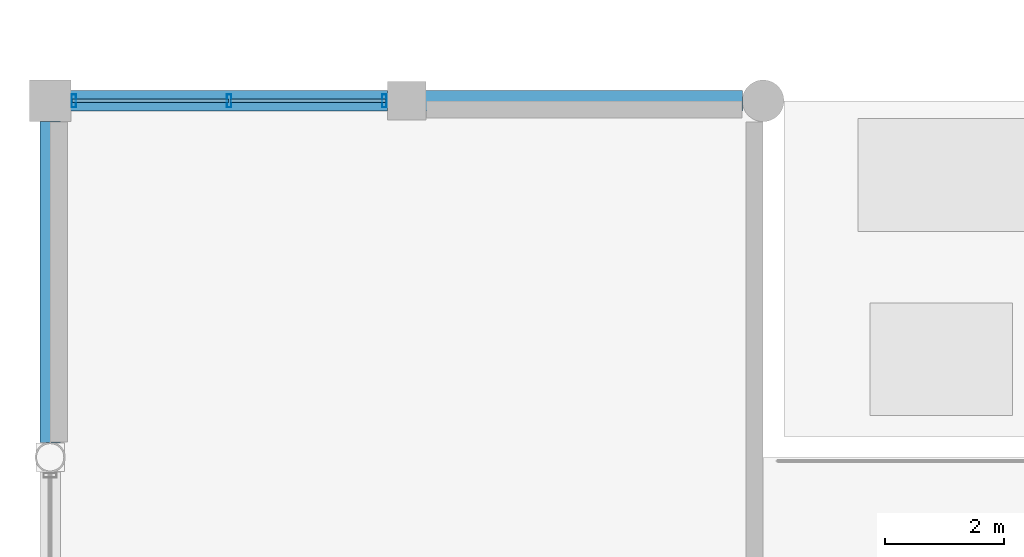
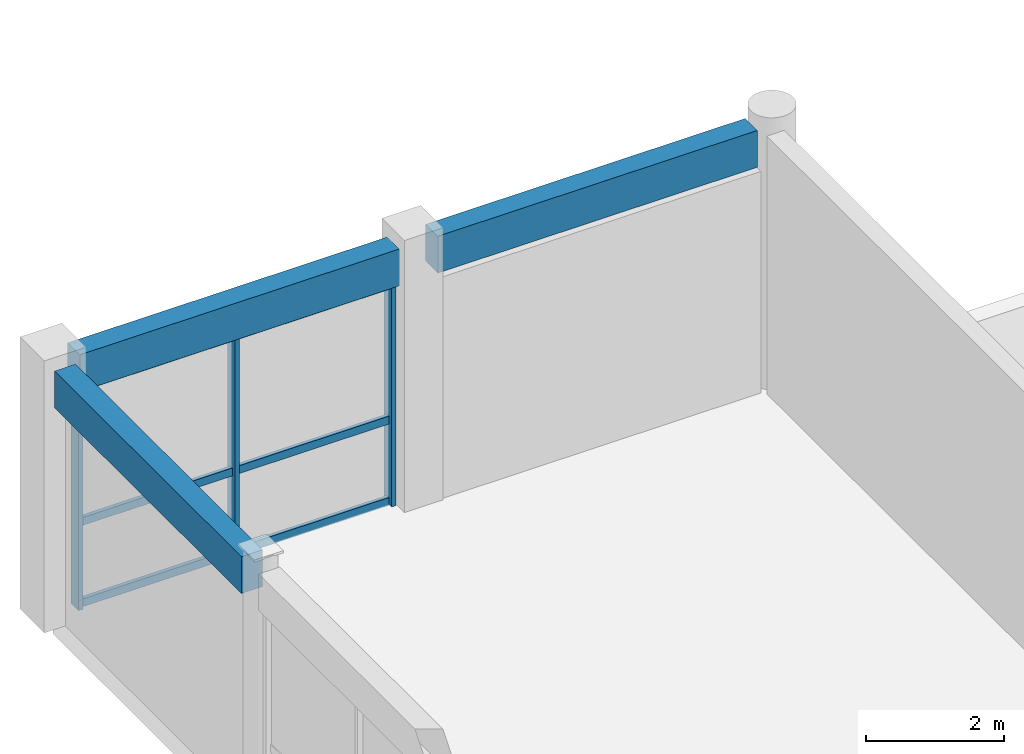
# One storey, part 37 of 112: 9 members, 3 beams, 1 element without a shape of its own.
"""IFC4 building model written with IfcOpenShell, lengths in metres."""

from ifc_helpers import new_model, si_unit, direction, frame, origin, origin_2d, place, context, subcontext, project, spatial, rectangle, hollow_rectangle, extrude, material, material_profile, profile_set, type_object, element, aggregate, save


model = new_model("IFC4")

# Units and contexts
model_context = context("Model", 3, precision=1e-05, world=origin(), true_north=direction((0.0, 1.0)))
body_context = subcontext(model_context, "Body", "Model", "MODEL_VIEW")
ifc_project = project(units=[si_unit("LENGTHUNIT", "METRE"), si_unit("AREAUNIT", "SQUARE_METRE"), si_unit("VOLUMEUNIT", "CUBIC_METRE"), si_unit("PLANEANGLEUNIT", "RADIAN"), si_unit("MASSUNIT", "GRAM", prefix="KILO"), si_unit("THERMODYNAMICTEMPERATUREUNIT", "KELVIN"), si_unit("POWERUNIT", "WATT")], contexts=[model_context])

# Site, building, storey
site_placement = place(None, origin())
site = spatial("IfcSite", under=ifc_project, at=site_placement, CompositionType="ELEMENT")
building_placement = place(site_placement, origin())
building = spatial("IfcBuilding", under=site, at=building_placement, Name="Phaisarnlok Congress Hotel", CompositionType="ELEMENT")
storey_placement = place(building_placement, frame((0.0, 0.0, 19.800048828125)))
storey = spatial("IfcBuildingStorey", under=building, at=storey_placement, Name="L04", CompositionType="ELEMENT", Elevation=19.800048828125)

# Curtain wall, members
ifc_material_1 = material(Name="Thermally Broken Unitised Aluminium & Low-E Glazing", Category="aluminium")
curtain_wall_type = type_object("IfcCurtainWallType", Name="CW-UNIT-33", PredefinedType="NOTDEFINED", material=ifc_material_1)
curtain_wall_placement = place(storey_placement, origin())
curtain_wall = element("IfcCurtainWall", 1, at=curtain_wall_placement, inside=storey, type_object=curtain_wall_type, Name="Unitised curtain wall CW-33 (L04)", PredefinedType="NOTDEFINED")
ifc_material_2 = material(Name="Anodised Aluminium Alloy 6063-T6", Category="aluminium")
ifc_material_profile_1 = material_profile(ifc_material_2, hollow_rectangle(XDim=0.074951171875, YDim=0.219970703125, WallThickness=0.0048828125, at=origin_2d()), Name="ALU-M 75x220x5")
ifc_profile_set_1 = profile_set([ifc_material_profile_1], Name="Anodised Aluminium Alloy 6063-T6")
member_type_1 = type_object("IfcMemberType", Name="CWM-220", PredefinedType="MULLION", material=ifc_profile_set_1)
member_1_placement = place(storey_placement, frame((5.625, 120.0, 0.0), z_axis=(0.0, 0.0, 1.0), x_axis=(-1.0, 0.0, 0.0)))
member_1 = element("IfcMember", 2, at=member_1_placement, type_object=member_type_1, Name="Curtain wall mullion CWM-02", PredefinedType="MULLION", context=body_context, shape_type="SweptSolid", body=[
    extrude(hollow_rectangle(XDim=0.074951171875, YDim=0.219970703125, WallThickness=0.0048828125, at=origin_2d()), origin(), (0.0, 0.0, 1.0), 3.909912109375),
])
member_2_placement = place(storey_placement, frame((3.012451171875, 120.0, 0.0), z_axis=(0.0, 0.0, 1.0), x_axis=(-1.0, 0.0, 0.0)))
member_2 = element("IfcMember", 3, at=member_2_placement, type_object=member_type_1, Name="Curtain wall mullion CWM-02", PredefinedType="MULLION", context=body_context, shape_type="SweptSolid", body=[
    extrude(hollow_rectangle(XDim=0.074951171875, YDim=0.219970703125, WallThickness=0.0048828125, at=origin_2d()), origin(), (0.0, 0.0, 1.0), 3.909912109375),
])
member_3_placement = place(storey_placement, frame((0.39990234375, 120.0, 0.0), z_axis=(0.0, 0.0, 1.0), x_axis=(-1.0, 0.0, 0.0)))
member_3 = element("IfcMember", 4, at=member_3_placement, type_object=member_type_1, Name="Curtain wall mullion CWM-02", PredefinedType="MULLION", context=body_context, shape_type="SweptSolid", body=[
    extrude(hollow_rectangle(XDim=0.074951171875, YDim=0.219970703125, WallThickness=0.0048828125, at=origin_2d()), origin(), (0.0, 0.0, 1.0), 3.909912109375),
])
ifc_material_profile_2 = material_profile(ifc_material_2, hollow_rectangle(XDim=0.06494140625, YDim=0.139892578125, WallThickness=0.00390625, at=origin_2d()), Name="ALU-T 65x140x4")
ifc_profile_set_2 = profile_set([ifc_material_profile_2], Name="Anodised Aluminium Alloy 6063-T6")
member_type_2 = type_object("IfcMemberType", Name="CWT-150", PredefinedType="USERDEFINED", material=ifc_profile_set_2)
member_4_placement = place(storey_placement, frame((5.64990234375, 120.0, 0.050048828125), z_axis=(-1.0, 0.0, 0.0), x_axis=(0.0, -1.0, 0.0)))
member_4 = element("IfcMember", 5, at=member_4_placement, type_object=member_type_2, Name="Curtain wall transom CWT-01", ObjectType="TRANSOM", PredefinedType="USERDEFINED", context=body_context, shape_type="SweptSolid", body=[
    extrude(hollow_rectangle(XDim=0.06494140625, YDim=0.139892578125, WallThickness=0.00390625, at=origin_2d()), origin(), (0.0, 0.0, 1.0), 2.622314453125),
])
member_5_placement = place(storey_placement, frame((5.64990234375, 120.0, 1.48583984375), z_axis=(-1.0, 0.0, 0.0), x_axis=(0.0, -1.0, 0.0)))
member_5 = element("IfcMember", 6, at=member_5_placement, type_object=member_type_2, Name="Curtain wall transom CWT-01", ObjectType="TRANSOM", PredefinedType="USERDEFINED", context=body_context, shape_type="SweptSolid", body=[
    extrude(hollow_rectangle(XDim=0.06494140625, YDim=0.139892578125, WallThickness=0.00390625, at=origin_2d()), origin(), (0.0, 0.0, 1.0), 2.622314453125),
])
member_6_placement = place(storey_placement, frame((5.64990234375, 120.0, 3.85986328125), z_axis=(-1.0, 0.0, 0.0), x_axis=(0.0, -1.0, 0.0)))
member_6 = element("IfcMember", 7, at=member_6_placement, type_object=member_type_2, Name="Curtain wall transom CWT-01", ObjectType="TRANSOM", PredefinedType="USERDEFINED", context=body_context, shape_type="SweptSolid", body=[
    extrude(hollow_rectangle(XDim=0.06494140625, YDim=0.139892578125, WallThickness=0.00390625, at=origin_2d()), origin(), (0.0, 0.0, 1.0), 2.622314453125),
])
member_7_placement = place(storey_placement, frame((2.99755859375, 120.0, 0.050048828125), z_axis=(-1.0, 0.0, 0.0), x_axis=(0.0, -1.0, 0.0)))
member_7 = element("IfcMember", 8, at=member_7_placement, type_object=member_type_2, Name="Curtain wall transom CWT-01", ObjectType="TRANSOM", PredefinedType="USERDEFINED", context=body_context, shape_type="SweptSolid", body=[
    extrude(hollow_rectangle(XDim=0.06494140625, YDim=0.139892578125, WallThickness=0.00390625, at=origin_2d()), origin(), (0.0, 0.0, 1.0), 2.62255859375),
])
member_8_placement = place(storey_placement, frame((2.99755859375, 120.0, 1.48583984375), z_axis=(-1.0, 0.0, 0.0), x_axis=(0.0, -1.0, 0.0)))
member_8 = element("IfcMember", 9, at=member_8_placement, type_object=member_type_2, Name="Curtain wall transom CWT-01", ObjectType="TRANSOM", PredefinedType="USERDEFINED", context=body_context, shape_type="SweptSolid", body=[
    extrude(hollow_rectangle(XDim=0.06494140625, YDim=0.139892578125, WallThickness=0.00390625, at=origin_2d()), origin(), (0.0, 0.0, 1.0), 2.62255859375),
])
member_9_placement = place(storey_placement, frame((2.99755859375, 120.0, 3.85986328125), z_axis=(-1.0, 0.0, 0.0), x_axis=(0.0, -1.0, 0.0)))
member_9 = element("IfcMember", 10, at=member_9_placement, type_object=member_type_2, Name="Curtain wall transom CWT-01", ObjectType="TRANSOM", PredefinedType="USERDEFINED", context=body_context, shape_type="SweptSolid", body=[
    extrude(hollow_rectangle(XDim=0.06494140625, YDim=0.139892578125, WallThickness=0.00390625, at=origin_2d()), origin(), (0.0, 0.0, 1.0), 2.62255859375),
])
aggregate(curtain_wall, [member_1, member_2, member_3, member_4, member_5, member_6, member_7, member_8, member_9])

# Beams
ifc_material_3 = material(Name="Concrete C40/50", Category="concrete")
ifc_material_profile_3 = material_profile(ifc_material_3, rectangle(XDim=0.35009765625, YDim=0.64990234375, at=origin_2d()), Name="RC 350x650")
ifc_profile_set_3 = profile_set([ifc_material_profile_3], Name="Concrete C40/50")
beam_type = type_object("IfcBeamType", Name="SP-RC-350x650", PredefinedType="SPANDREL", material=ifc_profile_set_3)
beam_placement = place(storey_placement, frame((0.0, 114.2490234375, 4.23486328125), z_axis=(0.0, 1.0, 0.0), x_axis=(-1.0, 0.0, 0.0)))
element("IfcBeam", 11, at=beam_placement, inside=storey, type_object=beam_type, Name="Beam SP-01", PredefinedType="SPANDREL", context=body_context, shape_type="SweptSolid", body=[
    extrude(rectangle(XDim=0.35009765625, YDim=0.64990234375, at=origin_2d()), origin(), (0.0, 0.0, 1.0), 5.406005859375),
])
for number, where, z_axis, x_axis, name in (
    (12, (0.344970703125, 120.0, 4.23486328125), (1.0, 0.0, 0.0), (0.0, 1.0, 0.0), "Beam SP-01"),
    (13, (6.320068359375, 120.0, 4.23486328125), (1.0, 0.0, 0.0), (0.0, 1.0, 0.0), "Beam SP-01"),
):
    element("IfcBeam", number, at=place(storey_placement, frame(where, z_axis=z_axis, x_axis=x_axis)), inside=storey, type_object=beam_type, Name=name, PredefinedType="SPANDREL", context=body_context, shape_type="SweptSolid", body=[
        extrude(rectangle(XDim=0.35009765625, YDim=0.64990234375, at=origin_2d()), origin(), (0.0, 0.0, 1.0), 5.3349609375),
    ])

save(model, "model.ifc")
